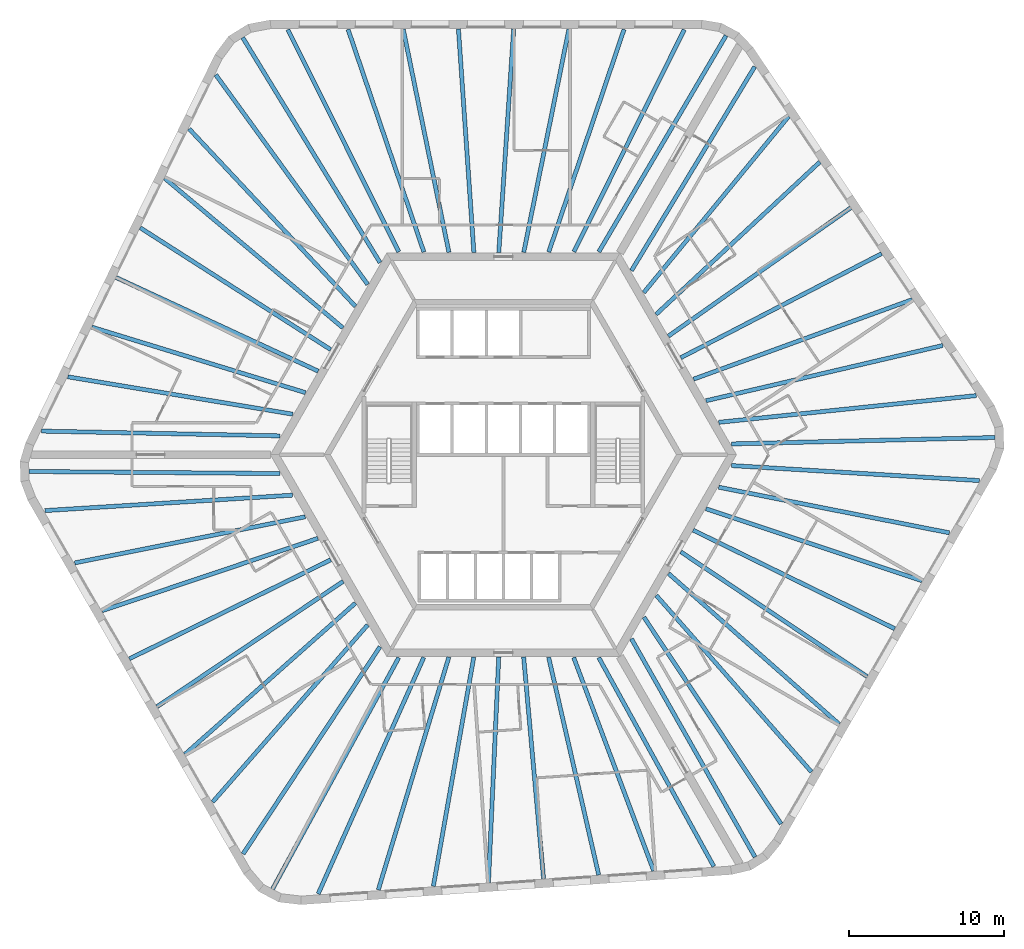
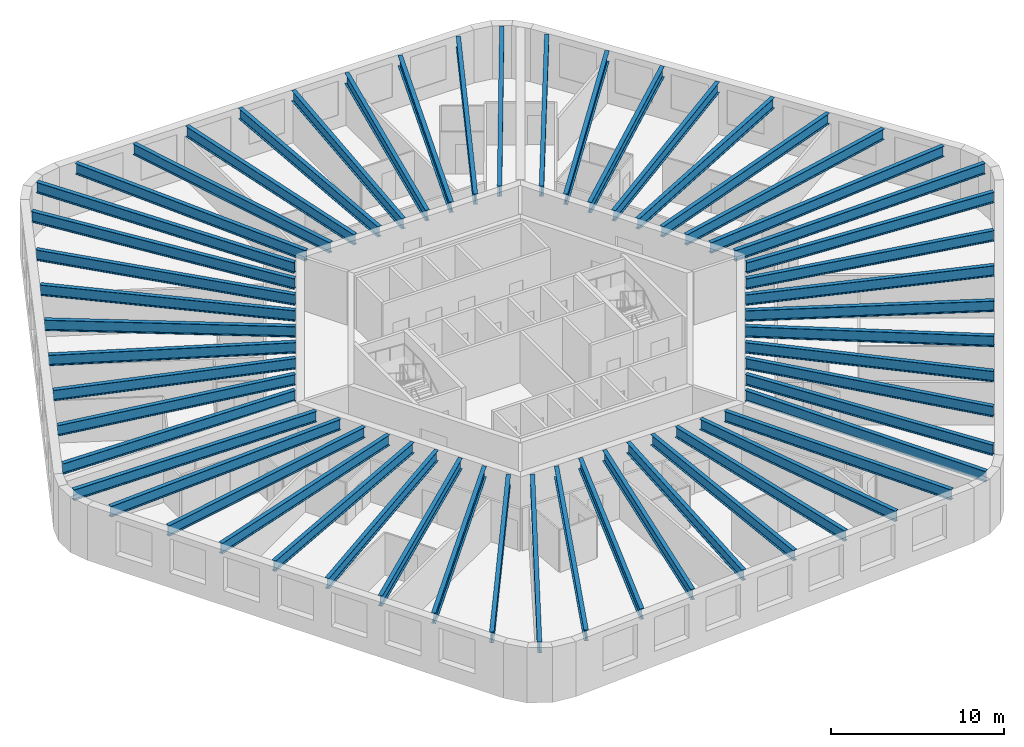
# One storey, part 1 of 10: 54 beams.
"""IFC4 building model written with IfcOpenShell, lengths in metres."""

from ifc_helpers import new_model, si_unit, direction, frame, origin, origin_2d, place, context, subcontext, project, spatial, i_section, extrude, material, material_profile, profile_set, type_object, element, save


model = new_model("IFC4")

# Units and contexts
model_context = context("Model", 3, precision=1e-05, world=origin(), true_north=direction((0.0, 1.0)))
body_context = subcontext(model_context, "Body", "Model", "MODEL_VIEW")
ifc_project = project(units=[si_unit("LENGTHUNIT", "METRE"), si_unit("AREAUNIT", "SQUARE_METRE"), si_unit("VOLUMEUNIT", "CUBIC_METRE"), si_unit("PLANEANGLEUNIT", "RADIAN"), si_unit("MASSUNIT", "GRAM", prefix="KILO")], contexts=[model_context])

# Site, building, storey
site_placement = place(None, origin())
site = spatial("IfcSite", under=ifc_project, at=site_placement, CompositionType="ELEMENT")
building_placement = place(site_placement, origin())
building = spatial("IfcBuilding", under=site, at=building_placement, Name="Tarnside Tower", CompositionType="ELEMENT")
storey_placement = place(building_placement, frame((0.0, 0.0, 180.0)))
storey = spatial("IfcBuildingStorey", under=building, at=storey_placement, Name="L42", CompositionType="ELEMENT", Elevation=180.0)

# Beams
ifc_material = material(Name="Steel S355", Category="steel")
ifc_material_profile_1 = material_profile(ifc_material, i_section(OverallWidth=0.26513671875, OverallDepth=0.75390625, WebThickness=0.0126953125, FlangeThickness=0.017578125, FilletRadius=0.0166015625, at=origin_2d()), Name="UB 762x267x147")
ifc_profile_set_1 = profile_set([ifc_material_profile_1], Name="Steel S355")
beam_type_1 = type_object("IfcBeamType", Name="Floor beam UB 762x267x147", PredefinedType="BEAM", material=ifc_profile_set_1)
beam_1_placement = place(storey_placement, frame((7.77001953125, 27.393310546875, 3.373046875), z_axis=(-0.320362579778, -0.947295000239, 0.0), x_axis=(0.947295000239, -0.320362579778, 0.0)))
element("IfcBeam", 1, at=beam_1_placement, inside=storey, type_object=beam_type_1, Name="Floor beam F1.02", PredefinedType="BEAM", context=body_context, shape_type="SweptSolid", body=[
    extrude(i_section(OverallWidth=0.26513671875, OverallDepth=0.75390625, WebThickness=0.0126953125, FlangeThickness=0.017578125, FilletRadius=0.0166015625, at=origin_2d()), origin(), (0.0, 0.0, 1.0), 15.134033203125),
])
beam_2_placement = place(storey_placement, frame((4.218505859375, 27.410888671875, 3.373046875), z_axis=(-0.19841777413, -0.980117537293, 0.0), x_axis=(0.980117537293, -0.19841777413, 0.0)))
element("IfcBeam", 2, at=beam_2_placement, inside=storey, type_object=beam_type_1, Name="Floor beam F1.03", PredefinedType="BEAM", context=body_context, shape_type="SweptSolid", body=[
    extrude(i_section(OverallWidth=0.26513671875, OverallDepth=0.75390625, WebThickness=0.0126953125, FlangeThickness=0.017578125, FilletRadius=0.0166015625, at=origin_2d()), origin(), (0.0, 0.0, 1.0), 14.6630859375),
])
beam_3_placement = place(storey_placement, frame((0.66259765625, 27.429931640625, 3.373046875), z_axis=(-0.066554914868, -0.997782763585, 0.0), x_axis=(0.997782763585, -0.066554914868, 0.0)))
element("IfcBeam", 3, at=beam_3_placement, inside=storey, type_object=beam_type_1, Name="Floor beam F1.04", PredefinedType="BEAM", context=body_context, shape_type="SweptSolid", body=[
    extrude(i_section(OverallWidth=0.26513671875, OverallDepth=0.75390625, WebThickness=0.0126953125, FlangeThickness=0.017578125, FilletRadius=0.0166015625, at=origin_2d()), origin(), (0.0, 0.0, 1.0), 14.44189453125),
])
beam_4_placement = place(storey_placement, frame((-2.8974609375, 27.429931640625, 3.373046875), z_axis=(0.068876921658, -0.997625164911, 0.0), x_axis=(0.997625164911, 0.068876921658, 0.0)))
element("IfcBeam", 4, at=beam_4_placement, inside=storey, type_object=beam_type_1, Name="Floor beam F1.05", PredefinedType="BEAM", context=body_context, shape_type="SweptSolid", body=[
    extrude(i_section(OverallWidth=0.26513671875, OverallDepth=0.75390625, WebThickness=0.0126953125, FlangeThickness=0.017578125, FilletRadius=0.0166015625, at=origin_2d()), origin(), (0.0, 0.0, 1.0), 14.4443359375),
])
beam_5_placement = place(storey_placement, frame((-6.45361328125, 27.410888671875, 3.373046875), z_axis=(0.200623497398, -0.979668419564, 0.0), x_axis=(0.979668419564, 0.200623497398, 0.0)))
element("IfcBeam", 5, at=beam_5_placement, inside=storey, type_object=beam_type_1, Name="Floor beam F1.06", PredefinedType="BEAM", context=body_context, shape_type="SweptSolid", body=[
    extrude(i_section(OverallWidth=0.26513671875, OverallDepth=0.75390625, WebThickness=0.0126953125, FlangeThickness=0.017578125, FilletRadius=0.0166015625, at=origin_2d()), origin(), (0.0, 0.0, 1.0), 14.669921875),
])
beam_6_placement = place(storey_placement, frame((-10.0048828125, 27.393310546875, 3.373046875), z_axis=(0.322343712034, -0.946622697442, 0.0), x_axis=(0.946622697442, 0.322343712034, 0.0)))
element("IfcBeam", 6, at=beam_6_placement, inside=storey, type_object=beam_type_1, Name="Floor beam F1.07", PredefinedType="BEAM", context=body_context, shape_type="SweptSolid", body=[
    extrude(i_section(OverallWidth=0.26513671875, OverallDepth=0.75390625, WebThickness=0.0126953125, FlangeThickness=0.017578125, FilletRadius=0.0166015625, at=origin_2d()), origin(), (0.0, 0.0, 1.0), 15.144775390625),
])
beam_7_placement = place(storey_placement, frame((-20.241455078125, 20.9892578125, 3.373046875), z_axis=(0.683752330283, -0.729714156936, 0.0), x_axis=(0.729714156936, 0.683752330283, 0.0)))
element("IfcBeam", 7, at=beam_7_placement, inside=storey, type_object=beam_type_1, Name="Floor beam F2.02", PredefinedType="BEAM", context=body_context, shape_type="SweptSolid", body=[
    extrude(i_section(OverallWidth=0.26513671875, OverallDepth=0.75390625, WebThickness=0.0126953125, FlangeThickness=0.017578125, FilletRadius=0.0166015625, at=origin_2d()), origin(), (0.0, 0.0, 1.0), 15.6591796875),
])
beam_8_placement = place(storey_placement, frame((-21.81396484375, 17.80419921875, 3.373046875), z_axis=(0.765948461073, -0.642901979294, 0.0), x_axis=(0.642901979294, 0.765948461073, 0.0)))
element("IfcBeam", 8, at=beam_8_placement, inside=storey, type_object=beam_type_1, Name="Floor beam F2.03", PredefinedType="BEAM", context=body_context, shape_type="SweptSolid", body=[
    extrude(i_section(OverallWidth=0.26513671875, OverallDepth=0.75390625, WebThickness=0.0126953125, FlangeThickness=0.017578125, FilletRadius=0.0166015625, at=origin_2d()), origin(), (0.0, 0.0, 1.0), 14.982177734375),
])
beam_9_placement = place(storey_placement, frame((-23.389892578125, 14.616455078125, 3.373046875), z_axis=(0.842378275633, -0.538886667808, 0.0), x_axis=(0.538886667808, 0.842378275633, 0.0)))
element("IfcBeam", 9, at=beam_9_placement, inside=storey, type_object=beam_type_1, Name="Floor beam F2.04", PredefinedType="BEAM", context=body_context, shape_type="SweptSolid", body=[
    extrude(i_section(OverallWidth=0.26513671875, OverallDepth=0.75390625, WebThickness=0.0126953125, FlangeThickness=0.017578125, FilletRadius=0.0166015625, at=origin_2d()), origin(), (0.0, 0.0, 1.0), 14.5595703125),
])
beam_10_placement = place(storey_placement, frame((-24.9501953125, 11.416748046875, 3.373046875), z_axis=(0.907310131748, -0.420462037321, 0.0), x_axis=(0.420462037321, 0.907310131748, 0.0)))
element("IfcBeam", 10, at=beam_10_placement, inside=storey, type_object=beam_type_1, Name="Floor beam F2.05", PredefinedType="BEAM", context=body_context, shape_type="SweptSolid", body=[
    extrude(i_section(OverallWidth=0.26513671875, OverallDepth=0.75390625, WebThickness=0.0126953125, FlangeThickness=0.017578125, FilletRadius=0.0166015625, at=origin_2d()), origin(), (0.0, 0.0, 1.0), 14.353515625),
])
beam_11_placement = place(storey_placement, frame((-26.510986328125, 8.2177734375, 3.373046875), z_axis=(0.956073348261, -0.293127536654, 0.0), x_axis=(0.293127536654, 0.956073348261, 0.0)))
element("IfcBeam", 11, at=beam_11_placement, inside=storey, type_object=beam_type_1, Name="Floor beam F2.06", PredefinedType="BEAM", context=body_context, shape_type="SweptSolid", body=[
    extrude(i_section(OverallWidth=0.26513671875, OverallDepth=0.75390625, WebThickness=0.0126953125, FlangeThickness=0.017578125, FilletRadius=0.0166015625, at=origin_2d()), origin(), (0.0, 0.0, 1.0), 14.3955078125),
])
beam_12_placement = place(storey_placement, frame((-28.0517578125, 5.015869140625, 3.373046875), z_axis=(0.986476498304, -0.163902770858, 0.0), x_axis=(0.163902770858, 0.986476498304, 0.0)))
element("IfcBeam", 12, at=beam_12_placement, inside=storey, type_object=beam_type_1, Name="Floor beam F2.07", PredefinedType="BEAM", context=body_context, shape_type="SweptSolid", body=[
    extrude(i_section(OverallWidth=0.26513671875, OverallDepth=0.75390625, WebThickness=0.0126953125, FlangeThickness=0.017578125, FilletRadius=0.0166015625, at=origin_2d()), origin(), (0.0, 0.0, 1.0), 14.680908203125),
])
beam_13_placement = place(storey_placement, frame((-29.73828125, 1.521484375, 3.373046875), z_axis=(0.999800142641, -0.019991867701, 0.0), x_axis=(0.019991867701, 0.999800142641, 0.0)))
element("IfcBeam", 13, at=beam_13_placement, inside=storey, type_object=beam_type_1, Name="Floor beam F2.08", PredefinedType="BEAM", context=body_context, shape_type="SweptSolid", body=[
    extrude(i_section(OverallWidth=0.26513671875, OverallDepth=0.75390625, WebThickness=0.0126953125, FlangeThickness=0.017578125, FilletRadius=0.0166015625, at=origin_2d()), origin(), (0.0, 0.0, 1.0), 15.3505859375),
])
beam_14_placement = place(storey_placement, frame((-27.608154296875, -6.967529296875, 3.373046875), z_axis=(0.980564540422, 0.196196794232, 0.0), x_axis=(-0.196196794232, 0.980564540422, 0.0)))
element("IfcBeam", 14, at=beam_14_placement, inside=storey, type_object=beam_type_1, Name="Floor beam F3.02", PredefinedType="BEAM", context=body_context, shape_type="SweptSolid", body=[
    extrude(i_section(OverallWidth=0.26513671875, OverallDepth=0.75390625, WebThickness=0.0126953125, FlangeThickness=0.017578125, FilletRadius=0.0166015625, at=origin_2d()), origin(), (0.0, 0.0, 1.0), 15.134033203125),
])
beam_15_placement = place(storey_placement, frame((-25.84765625, -10.052001953125, 3.373046875), z_axis=(0.948011835322, 0.31823507049, 0.0), x_axis=(-0.31823507049, 0.948011835322, 0.0)))
element("IfcBeam", 15, at=beam_15_placement, inside=storey, type_object=beam_type_1, Name="Floor beam F3.03", PredefinedType="BEAM", context=body_context, shape_type="SweptSolid", body=[
    extrude(i_section(OverallWidth=0.26513671875, OverallDepth=0.75390625, WebThickness=0.0126953125, FlangeThickness=0.017578125, FilletRadius=0.0166015625, at=origin_2d()), origin(), (0.0, 0.0, 1.0), 14.662841796875),
])
beam_16_placement = place(storey_placement, frame((-24.086181640625, -13.141357421875, 3.373046875), z_axis=(0.897375974806, 0.441266767206, 0.0), x_axis=(-0.441266767206, 0.897375974806, 0.0)))
element("IfcBeam", 16, at=beam_16_placement, inside=storey, type_object=beam_type_1, Name="Floor beam F3.04", PredefinedType="BEAM", context=body_context, shape_type="SweptSolid", body=[
    extrude(i_section(OverallWidth=0.26513671875, OverallDepth=0.75390625, WebThickness=0.0126953125, FlangeThickness=0.017578125, FilletRadius=0.0166015625, at=origin_2d()), origin(), (0.0, 0.0, 1.0), 14.442138671875),
])
beam_17_placement = place(storey_placement, frame((-22.306396484375, -16.224365234375, 3.373046875), z_axis=(0.829532486243, 0.558458462437, 0.0), x_axis=(-0.558458462437, 0.829532486243, 0.0)))
element("IfcBeam", 17, at=beam_17_placement, inside=storey, type_object=beam_type_1, Name="Floor beam F3.05", PredefinedType="BEAM", context=body_context, shape_type="SweptSolid", body=[
    extrude(i_section(OverallWidth=0.26513671875, OverallDepth=0.75390625, WebThickness=0.0126953125, FlangeThickness=0.017578125, FilletRadius=0.0166015625, at=origin_2d()), origin(), (0.0, 0.0, 1.0), 14.444580078125),
])
beam_18_placement = place(storey_placement, frame((-20.51171875, -19.294189453125, 3.373046875), z_axis=(0.74811408094, 0.663570133369, 0.0), x_axis=(-0.663570133369, 0.74811408094, 0.0)))
element("IfcBeam", 18, at=beam_18_placement, inside=storey, type_object=beam_type_1, Name="Floor beam F3.06", PredefinedType="BEAM", context=body_context, shape_type="SweptSolid", body=[
    extrude(i_section(OverallWidth=0.26513671875, OverallDepth=0.75390625, WebThickness=0.0126953125, FlangeThickness=0.017578125, FilletRadius=0.0166015625, at=origin_2d()), origin(), (0.0, 0.0, 1.0), 14.669677734375),
])
beam_19_placement = place(storey_placement, frame((-18.720703125, -22.361083984375, 3.373046875), z_axis=(0.658621010302, 0.752474826681, 0.0), x_axis=(-0.752474826681, 0.658621010302, 0.0)))
element("IfcBeam", 19, at=beam_19_placement, inside=storey, type_object=beam_type_1, Name="Floor beam F3.07", PredefinedType="BEAM", context=body_context, shape_type="SweptSolid", body=[
    extrude(i_section(OverallWidth=0.26513671875, OverallDepth=0.75390625, WebThickness=0.0126953125, FlangeThickness=0.017578125, FilletRadius=0.0166015625, at=origin_2d()), origin(), (0.0, 0.0, 1.0), 15.144775390625),
])
beam_20_placement = place(storey_placement, frame((-8.056396484375, -28.024169921875, 3.373046875), z_axis=(0.290070138838, 0.957005388989, 0.0), x_axis=(-0.957005388989, 0.290070138838, 0.0)))
element("IfcBeam", 20, at=beam_20_placement, inside=storey, type_object=beam_type_1, Name="Floor beam F4.02", PredefinedType="BEAM", context=body_context, shape_type="SweptSolid", body=[
    extrude(i_section(OverallWidth=0.26513671875, OverallDepth=0.75390625, WebThickness=0.0126953125, FlangeThickness=0.017578125, FilletRadius=0.0166015625, at=origin_2d()), origin(), (0.0, 0.0, 1.0), 15.6591796875),
])
beam_21_placement = place(storey_placement, frame((-4.511962890625, -27.793701171875, 3.373046875), z_axis=(0.173788122681, 0.984783066678, 0.0), x_axis=(-0.984783066678, 0.173788122681, 0.0)))
element("IfcBeam", 21, at=beam_21_placement, inside=storey, type_object=beam_type_1, Name="Floor beam F4.03", PredefinedType="BEAM", context=body_context, shape_type="SweptSolid", body=[
    extrude(i_section(OverallWidth=0.26513671875, OverallDepth=0.75390625, WebThickness=0.0126953125, FlangeThickness=0.017578125, FilletRadius=0.0166015625, at=origin_2d()), origin(), (0.0, 0.0, 1.0), 14.982421875),
])
beam_22_placement = place(storey_placement, frame((-0.96337890625, -27.564453125, 3.373046875), z_axis=(0.045509585226, 0.998963902077, 0.0), x_axis=(-0.998963902077, 0.045509585226, 0.0)))
element("IfcBeam", 22, at=beam_22_placement, inside=storey, type_object=beam_type_1, Name="Floor beam F4.04", PredefinedType="BEAM", context=body_context, shape_type="SweptSolid", body=[
    extrude(i_section(OverallWidth=0.26513671875, OverallDepth=0.75390625, WebThickness=0.0126953125, FlangeThickness=0.017578125, FilletRadius=0.0166015625, at=origin_2d()), origin(), (0.0, 0.0, 1.0), 14.5595703125),
])
beam_23_placement = place(storey_placement, frame((2.587890625, -27.31591796875, 3.373046875), z_axis=(-0.089518916897, 0.995985122137, 0.0), x_axis=(-0.995985122137, -0.089518916897, 0.0)))
element("IfcBeam", 23, at=beam_23_placement, inside=storey, type_object=beam_type_1, Name="Floor beam F4.05", PredefinedType="BEAM", context=body_context, shape_type="SweptSolid", body=[
    extrude(i_section(OverallWidth=0.26513671875, OverallDepth=0.75390625, WebThickness=0.0126953125, FlangeThickness=0.017578125, FilletRadius=0.0166015625, at=origin_2d()), origin(), (0.0, 0.0, 1.0), 14.353515625),
])
beam_24_placement = place(storey_placement, frame((6.138671875, -27.068115234375, 3.373046875), z_axis=(-0.224188122435, 0.974545886944, 0.0), x_axis=(-0.974545886944, -0.224188122435, 0.0)))
element("IfcBeam", 24, at=beam_24_placement, inside=storey, type_object=beam_type_1, Name="Floor beam F4.06", PredefinedType="BEAM", context=body_context, shape_type="SweptSolid", body=[
    extrude(i_section(OverallWidth=0.26513671875, OverallDepth=0.75390625, WebThickness=0.0126953125, FlangeThickness=0.017578125, FilletRadius=0.0166015625, at=origin_2d()), origin(), (0.0, 0.0, 1.0), 14.3955078125),
])
beam_25_placement = place(storey_placement, frame((9.681884765625, -26.801513671875, 3.373046875), z_axis=(-0.351271055087, 0.936273809234, 0.0), x_axis=(-0.936273809234, -0.351271055087, 0.0)))
element("IfcBeam", 25, at=beam_25_placement, inside=storey, type_object=beam_type_1, Name="Floor beam F4.07", PredefinedType="BEAM", context=body_context, shape_type="SweptSolid", body=[
    extrude(i_section(OverallWidth=0.26513671875, OverallDepth=0.75390625, WebThickness=0.0126953125, FlangeThickness=0.017578125, FilletRadius=0.0166015625, at=origin_2d()), origin(), (0.0, 0.0, 1.0), 14.680908203125),
])
beam_26_placement = place(storey_placement, frame((13.551513671875, -26.514892578125, 3.373046875), z_axis=(-0.482584088089, 0.875849643445, 0.0), x_axis=(-0.875849643445, -0.482584088089, 0.0)))
element("IfcBeam", 26, at=beam_26_placement, inside=storey, type_object=beam_type_1, Name="Floor beam F4.08", PredefinedType="BEAM", context=body_context, shape_type="SweptSolid", body=[
    extrude(i_section(OverallWidth=0.26513671875, OverallDepth=0.75390625, WebThickness=0.0126953125, FlangeThickness=0.017578125, FilletRadius=0.0166015625, at=origin_2d()), origin(), (0.0, 0.0, 1.0), 15.3505859375),
])
beam_27_placement = place(storey_placement, frame((19.838134765625, -20.425537109375, 3.373046875), z_axis=(-0.660201214512, 0.751088780609, 0.0), x_axis=(-0.751088780609, -0.660201214512, 0.0)))
element("IfcBeam", 27, at=beam_27_placement, inside=storey, type_object=beam_type_1, Name="Floor beam F5.02", PredefinedType="BEAM", context=body_context, shape_type="SweptSolid", body=[
    extrude(i_section(OverallWidth=0.26513671875, OverallDepth=0.75390625, WebThickness=0.0126953125, FlangeThickness=0.017578125, FilletRadius=0.0166015625, at=origin_2d()), origin(), (0.0, 0.0, 1.0), 15.134033203125),
])
beam_28_placement = place(storey_placement, frame((21.629150390625, -17.358642578125, 3.373046875), z_axis=(-0.749601662028, 0.661889226597, 0.0), x_axis=(-0.661889226597, -0.749601662028, 0.0)))
element("IfcBeam", 28, at=beam_28_placement, inside=storey, type_object=beam_type_1, Name="Floor beam F5.03", PredefinedType="BEAM", context=body_context, shape_type="SweptSolid", body=[
    extrude(i_section(OverallWidth=0.26513671875, OverallDepth=0.75390625, WebThickness=0.0126953125, FlangeThickness=0.017578125, FilletRadius=0.0166015625, at=origin_2d()), origin(), (0.0, 0.0, 1.0), 14.6630859375),
])
beam_29_placement = place(storey_placement, frame((23.423828125, -14.288818359375, 3.373046875), z_axis=(-0.830825943553, 0.556532345439, 0.0), x_axis=(-0.556532345439, -0.830825943553, 0.0)))
element("IfcBeam", 29, at=beam_29_placement, inside=storey, type_object=beam_type_1, Name="Floor beam F5.04", PredefinedType="BEAM", context=body_context, shape_type="SweptSolid", body=[
    extrude(i_section(OverallWidth=0.26513671875, OverallDepth=0.75390625, WebThickness=0.0126953125, FlangeThickness=0.017578125, FilletRadius=0.0166015625, at=origin_2d()), origin(), (0.0, 0.0, 1.0), 14.4423828125),
])
beam_30_placement = place(storey_placement, frame((25.203857421875, -11.205810546875, 3.373046875), z_axis=(-0.898407034897, 0.43916375038, 0.0), x_axis=(-0.43916375038, -0.898407034897, 0.0)))
element("IfcBeam", 30, at=beam_30_placement, inside=storey, type_object=beam_type_1, Name="Floor beam F5.05", PredefinedType="BEAM", context=body_context, shape_type="SweptSolid", body=[
    extrude(i_section(OverallWidth=0.26513671875, OverallDepth=0.75390625, WebThickness=0.0126953125, FlangeThickness=0.017578125, FilletRadius=0.0166015625, at=origin_2d()), origin(), (0.0, 0.0, 1.0), 14.444580078125),
])
beam_31_placement = place(storey_placement, frame((26.965087890625, -8.116455078125, 3.373046875), z_axis=(-0.948728223501, 0.31609295774, 0.0), x_axis=(-0.31609295774, -0.948728223501, 0.0)))
element("IfcBeam", 31, at=beam_31_placement, inside=storey, type_object=beam_type_1, Name="Floor beam F5.06", PredefinedType="BEAM", context=body_context, shape_type="SweptSolid", body=[
    extrude(i_section(OverallWidth=0.26513671875, OverallDepth=0.75390625, WebThickness=0.0126953125, FlangeThickness=0.017578125, FilletRadius=0.0166015625, at=origin_2d()), origin(), (0.0, 0.0, 1.0), 14.669677734375),
])
beam_32_placement = place(storey_placement, frame((28.7255859375, -5.031982421875, 3.373046875), z_axis=(-0.980974250646, 0.194137888034, 0.0), x_axis=(-0.194137888034, -0.980974250646, 0.0)))
element("IfcBeam", 32, at=beam_32_placement, inside=storey, type_object=beam_type_1, Name="Floor beam F5.07", PredefinedType="BEAM", context=body_context, shape_type="SweptSolid", body=[
    extrude(i_section(OverallWidth=0.26513671875, OverallDepth=0.75390625, WebThickness=0.0126953125, FlangeThickness=0.017578125, FilletRadius=0.0166015625, at=origin_2d()), origin(), (0.0, 0.0, 1.0), 15.144775390625),
])
beam_33_placement = place(storey_placement, frame((28.2978515625, 7.034912109375, 3.373046875), z_axis=(-0.973828212928, -0.227285309042, 0.0), x_axis=(0.227285309042, -0.973828212928, 0.0)))
element("IfcBeam", 33, at=beam_33_placement, inside=storey, type_object=beam_type_1, Name="Floor beam F6.02", PredefinedType="BEAM", context=body_context, shape_type="SweptSolid", body=[
    extrude(i_section(OverallWidth=0.26513671875, OverallDepth=0.75390625, WebThickness=0.0126953125, FlangeThickness=0.017578125, FilletRadius=0.0166015625, at=origin_2d()), origin(), (0.0, 0.0, 1.0), 15.6591796875),
])
beam_34_placement = place(storey_placement, frame((26.325927734375, 9.989501953125, 3.373046875), z_axis=(-0.939738697004, -0.341893523415, 0.0), x_axis=(0.341893523415, -0.939738697004, 0.0)))
element("IfcBeam", 34, at=beam_34_placement, inside=storey, type_object=beam_type_1, Name="Floor beam F6.03", PredefinedType="BEAM", context=body_context, shape_type="SweptSolid", body=[
    extrude(i_section(OverallWidth=0.26513671875, OverallDepth=0.75390625, WebThickness=0.0126953125, FlangeThickness=0.017578125, FilletRadius=0.0166015625, at=origin_2d()), origin(), (0.0, 0.0, 1.0), 14.982177734375),
])
beam_35_placement = place(storey_placement, frame((24.353271484375, 12.947998046875, 3.373046875), z_axis=(-0.887881646639, -0.460071930856, 0.0), x_axis=(0.460071930856, -0.887881646639, 0.0)))
element("IfcBeam", 35, at=beam_35_placement, inside=storey, type_object=beam_type_1, Name="Floor beam F6.04", PredefinedType="BEAM", context=body_context, shape_type="SweptSolid", body=[
    extrude(i_section(OverallWidth=0.26513671875, OverallDepth=0.75390625, WebThickness=0.0126953125, FlangeThickness=0.017578125, FilletRadius=0.0166015625, at=origin_2d()), origin(), (0.0, 0.0, 1.0), 14.5595703125),
])
beam_36_placement = place(storey_placement, frame((22.3623046875, 15.899169921875, 3.373046875), z_axis=(-0.817791001708, -0.575515314762, 0.0), x_axis=(0.575515314762, -0.817791001708, 0.0)))
element("IfcBeam", 36, at=beam_36_placement, inside=storey, type_object=beam_type_1, Name="Floor beam F6.05", PredefinedType="BEAM", context=body_context, shape_type="SweptSolid", body=[
    extrude(i_section(OverallWidth=0.26513671875, OverallDepth=0.75390625, WebThickness=0.0126953125, FlangeThickness=0.017578125, FilletRadius=0.0166015625, at=origin_2d()), origin(), (0.0, 0.0, 1.0), 14.353759765625),
])
beam_37_placement = place(storey_placement, frame((20.372314453125, 18.850341796875, 3.373046875), z_axis=(-0.731892224456, -0.681420407517, 0.0), x_axis=(0.681420407517, -0.731892224456, 0.0)))
element("IfcBeam", 37, at=beam_37_placement, inside=storey, type_object=beam_type_1, Name="Floor beam F6.06", PredefinedType="BEAM", context=body_context, shape_type="SweptSolid", body=[
    extrude(i_section(OverallWidth=0.26513671875, OverallDepth=0.75390625, WebThickness=0.0126953125, FlangeThickness=0.017578125, FilletRadius=0.0166015625, at=origin_2d()), origin(), (0.0, 0.0, 1.0), 14.3955078125),
])
beam_38_placement = place(storey_placement, frame((18.369873046875, 21.78564453125, 3.373046875), z_axis=(-0.635191827457, -0.772354414975, 0.0), x_axis=(0.772354414975, -0.635191827457, 0.0)))
element("IfcBeam", 38, at=beam_38_placement, inside=storey, type_object=beam_type_1, Name="Floor beam F6.07", PredefinedType="BEAM", context=body_context, shape_type="SweptSolid", body=[
    extrude(i_section(OverallWidth=0.26513671875, OverallDepth=0.75390625, WebThickness=0.0126953125, FlangeThickness=0.017578125, FilletRadius=0.0166015625, at=origin_2d()), origin(), (0.0, 0.0, 1.0), 14.680908203125),
])
beam_39_placement = place(storey_placement, frame((16.186767578125, 24.993408203125, 3.373046875), z_axis=(-0.517208605106, -0.855859368591, 0.0), x_axis=(0.855859368591, -0.517208605106, 0.0)))
element("IfcBeam", 39, at=beam_39_placement, inside=storey, type_object=beam_type_1, Name="Floor beam F6.08", PredefinedType="BEAM", context=body_context, shape_type="SweptSolid", body=[
    extrude(i_section(OverallWidth=0.26513671875, OverallDepth=0.75390625, WebThickness=0.0126953125, FlangeThickness=0.017578125, FilletRadius=0.0166015625, at=origin_2d()), origin(), (0.0, 0.0, 1.0), 15.3505859375),
])
ifc_material_profile_2 = material_profile(ifc_material, i_section(OverallWidth=0.2666015625, OverallDepth=0.76220703125, WebThickness=0.014404296875, FlangeThickness=0.021484375, FilletRadius=0.0166015625, at=origin_2d()), Name="UB 762x267x173")
ifc_profile_set_2 = profile_set([ifc_material_profile_2], Name="Steel S355")
beam_type_2 = type_object("IfcBeamType", Name="Floor beam UB 762x267x173", PredefinedType="BEAM", material=ifc_profile_set_2)
beam_40_placement = place(storey_placement, frame((11.6494140625, 27.37841796875, 3.368896484375), z_axis=(-0.445042310328, -0.895509543231, 0.0), x_axis=(0.895509543231, -0.445042310328, 0.0)))
element("IfcBeam", 40, at=beam_40_placement, inside=storey, type_object=beam_type_2, Name="Floor beam F1.01", PredefinedType="BEAM", context=body_context, shape_type="SweptSolid", body=[
    extrude(i_section(OverallWidth=0.2666015625, OverallDepth=0.76220703125, WebThickness=0.014404296875, FlangeThickness=0.021484375, FilletRadius=0.0166015625, at=origin_2d()), origin(), (0.0, 0.0, 1.0), 15.976318359375),
])
beam_41_placement = place(storey_placement, frame((-13.884521484375, 27.37841796875, 3.368896484375), z_axis=(0.44673108957, -0.894668281326, 0.0), x_axis=(0.894668281326, 0.44673108957, 0.0)))
element("IfcBeam", 41, at=beam_41_placement, inside=storey, type_object=beam_type_2, Name="Floor beam F1.08", PredefinedType="BEAM", context=body_context, shape_type="SweptSolid", body=[
    extrude(i_section(OverallWidth=0.2666015625, OverallDepth=0.76220703125, WebThickness=0.014404296875, FlangeThickness=0.021484375, FilletRadius=0.0166015625, at=origin_2d()), origin(), (0.0, 0.0, 1.0), 15.9912109375),
])
beam_42_placement = place(storey_placement, frame((-16.79345703125, 26.86962890625, 3.368896484375), z_axis=(0.520940467881, -0.853593011291, 0.0), x_axis=(0.853593011291, 0.520940467881, 0.0)))
element("IfcBeam", 42, at=beam_42_placement, inside=storey, type_object=beam_type_2, Name="Floor beam C1", PredefinedType="BEAM", context=body_context, shape_type="SweptSolid", body=[
    extrude(i_section(OverallWidth=0.2666015625, OverallDepth=0.76220703125, WebThickness=0.014404296875, FlangeThickness=0.021484375, FilletRadius=0.0166015625, at=origin_2d()), origin(), (0.0, 0.0, 1.0), 16.980712890625),
])
beam_43_placement = place(storey_placement, frame((-18.52685546875, 24.471435546875, 3.368896484375), z_axis=(0.586791943415, -0.80973774467, 0.0), x_axis=(0.80973774467, 0.586791943415, 0.0)))
element("IfcBeam", 43, at=beam_43_placement, inside=storey, type_object=beam_type_2, Name="Floor beam F2.01", PredefinedType="BEAM", context=body_context, shape_type="SweptSolid", body=[
    extrude(i_section(OverallWidth=0.2666015625, OverallDepth=0.76220703125, WebThickness=0.014404296875, FlangeThickness=0.021484375, FilletRadius=0.0166015625, at=origin_2d()), origin(), (0.0, 0.0, 1.0), 16.67578125),
])
beam_44_placement = place(storey_placement, frame((-30.543212890625, -1.079345703125, 3.368896484375), z_axis=(0.999966072652, -0.008237326324, 0.0), x_axis=(0.008237326324, 0.999966072652, 0.0)))
element("IfcBeam", 44, at=beam_44_placement, inside=storey, type_object=beam_type_2, Name="Floor beam C2", PredefinedType="BEAM", context=body_context, shape_type="SweptSolid", body=[
    extrude(i_section(OverallWidth=0.2666015625, OverallDepth=0.76220703125, WebThickness=0.014404296875, FlangeThickness=0.021484375, FilletRadius=0.0166015625, at=origin_2d()), origin(), (0.0, 0.0, 1.0), 16.15283203125),
])
beam_45_placement = place(storey_placement, frame((-29.534912109375, -3.6005859375, 3.368896484375), z_axis=(0.99805531279, 0.062334521832, 0.0), x_axis=(-0.062334521832, 0.99805531279, 0.0)))
element("IfcBeam", 45, at=beam_45_placement, inside=storey, type_object=beam_type_2, Name="Floor beam F3.01", PredefinedType="BEAM", context=body_context, shape_type="SweptSolid", body=[
    extrude(i_section(OverallWidth=0.2666015625, OverallDepth=0.76220703125, WebThickness=0.014404296875, FlangeThickness=0.021484375, FilletRadius=0.0166015625, at=origin_2d()), origin(), (0.0, 0.0, 1.0), 15.975830078125),
])
beam_46_placement = place(storey_placement, frame((-16.768310546875, -25.71337890625, 3.368896484375), z_axis=(0.551447600123, 0.834209532623, 0.0), x_axis=(-0.834209532623, 0.551447600123, 0.0)))
element("IfcBeam", 46, at=beam_46_placement, inside=storey, type_object=beam_type_2, Name="Floor beam F3.08", PredefinedType="BEAM", context=body_context, shape_type="SweptSolid", body=[
    extrude(i_section(OverallWidth=0.2666015625, OverallDepth=0.76220703125, WebThickness=0.014404296875, FlangeThickness=0.021484375, FilletRadius=0.0166015625, at=origin_2d()), origin(), (0.0, 0.0, 1.0), 15.9912109375),
])
beam_47_placement = place(storey_placement, frame((-14.873046875, -27.978515625, 3.368896484375), z_axis=(0.478767512404, 0.877941723047, 0.0), x_axis=(-0.877941723047, 0.478767512404, 0.0)))
element("IfcBeam", 47, at=beam_47_placement, inside=storey, type_object=beam_type_2, Name="Floor beam C3", PredefinedType="BEAM", context=body_context, shape_type="SweptSolid", body=[
    extrude(i_section(OverallWidth=0.2666015625, OverallDepth=0.76220703125, WebThickness=0.014404296875, FlangeThickness=0.021484375, FilletRadius=0.0166015625, at=origin_2d()), origin(), (0.0, 0.0, 1.0), 16.98095703125),
])
beam_48_placement = place(storey_placement, frame((-11.929443359375, -28.280517578125, 3.368896484375), z_axis=(0.407852035629, 0.913048036542, 0.0), x_axis=(-0.913048036542, 0.407852035629, 0.0)))
element("IfcBeam", 48, at=beam_48_placement, inside=storey, type_object=beam_type_2, Name="Floor beam F4.01", PredefinedType="BEAM", context=body_context, shape_type="SweptSolid", body=[
    extrude(i_section(OverallWidth=0.2666015625, OverallDepth=0.76220703125, WebThickness=0.014404296875, FlangeThickness=0.021484375, FilletRadius=0.0166015625, at=origin_2d()), origin(), (0.0, 0.0, 1.0), 16.67578125),
])
beam_49_placement = place(storey_placement, frame((16.206298828125, -25.91162109375, 3.368896484375), z_axis=(-0.492847437034, 0.870115741616, 0.0), x_axis=(-0.870115741616, -0.492847437034, 0.0)))
element("IfcBeam", 49, at=beam_49_placement, inside=storey, type_object=beam_type_2, Name="Floor beam C4", PredefinedType="BEAM", context=body_context, shape_type="SweptSolid", body=[
    extrude(i_section(OverallWidth=0.2666015625, OverallDepth=0.76220703125, WebThickness=0.014404296875, FlangeThickness=0.021484375, FilletRadius=0.0166015625, at=origin_2d()), origin(), (0.0, 0.0, 1.0), 16.15283203125),
])
beam_50_placement = place(storey_placement, frame((17.8857421875, -23.77783203125, 3.368896484375), z_axis=(-0.553013371197, 0.833172377889, 0.0), x_axis=(-0.833172377889, -0.553013371197, 0.0)))
element("IfcBeam", 50, at=beam_50_placement, inside=storey, type_object=beam_type_2, Name="Floor beam F5.01", PredefinedType="BEAM", context=body_context, shape_type="SweptSolid", body=[
    extrude(i_section(OverallWidth=0.2666015625, OverallDepth=0.76220703125, WebThickness=0.014404296875, FlangeThickness=0.021484375, FilletRadius=0.0166015625, at=origin_2d()), origin(), (0.0, 0.0, 1.0), 15.97607421875),
])
beam_51_placement = place(storey_placement, frame((30.652587890625, -1.6650390625, 3.368896484375), z_axis=(-0.998170730858, 0.060458184371, 0.0), x_axis=(-0.060458184371, -0.998170730858, 0.0)))
element("IfcBeam", 51, at=beam_51_placement, inside=storey, type_object=beam_type_2, Name="Floor beam F5.08", PredefinedType="BEAM", context=body_context, shape_type="SweptSolid", body=[
    extrude(i_section(OverallWidth=0.2666015625, OverallDepth=0.76220703125, WebThickness=0.014404296875, FlangeThickness=0.021484375, FilletRadius=0.0166015625, at=origin_2d()), origin(), (0.0, 0.0, 1.0), 15.9912109375),
])
beam_52_placement = place(storey_placement, frame((31.66650390625, 1.108642578125, 3.368896484375), z_axis=(-0.999703706976, -0.024341287118, 0.0), x_axis=(0.024341287118, -0.999703706976, 0.0)))
element("IfcBeam", 52, at=beam_52_placement, inside=storey, type_object=beam_type_2, Name="Floor beam C5", PredefinedType="BEAM", context=body_context, shape_type="SweptSolid", body=[
    extrude(i_section(OverallWidth=0.2666015625, OverallDepth=0.76220703125, WebThickness=0.014404296875, FlangeThickness=0.021484375, FilletRadius=0.0166015625, at=origin_2d()), origin(), (0.0, 0.0, 1.0), 16.980712890625),
])
beam_53_placement = place(storey_placement, frame((30.456298828125, 3.80908203125, 3.368896484375), z_axis=(-0.994648352349, -0.103318222829, 0.0), x_axis=(0.103318222829, -0.994648352349, 0.0)))
element("IfcBeam", 53, at=beam_53_placement, inside=storey, type_object=beam_type_2, Name="Floor beam F6.01", PredefinedType="BEAM", context=body_context, shape_type="SweptSolid", body=[
    extrude(i_section(OverallWidth=0.2666015625, OverallDepth=0.76220703125, WebThickness=0.014404296875, FlangeThickness=0.021484375, FilletRadius=0.0166015625, at=origin_2d()), origin(), (0.0, 0.0, 1.0), 16.67578125),
])
beam_54_placement = place(storey_placement, frame((14.3369140625, 26.990966796875, 3.368896484375), z_axis=(-0.507115238706, -0.861878259775, 0.0), x_axis=(0.861878259775, -0.507115238706, 0.0)))
element("IfcBeam", 54, at=beam_54_placement, inside=storey, type_object=beam_type_2, Name="Floor beam C6", PredefinedType="BEAM", context=body_context, shape_type="SweptSolid", body=[
    extrude(i_section(OverallWidth=0.2666015625, OverallDepth=0.76220703125, WebThickness=0.014404296875, FlangeThickness=0.021484375, FilletRadius=0.0166015625, at=origin_2d()), origin(), (0.0, 0.0, 1.0), 16.15283203125),
])

save(model, "model.ifc")
